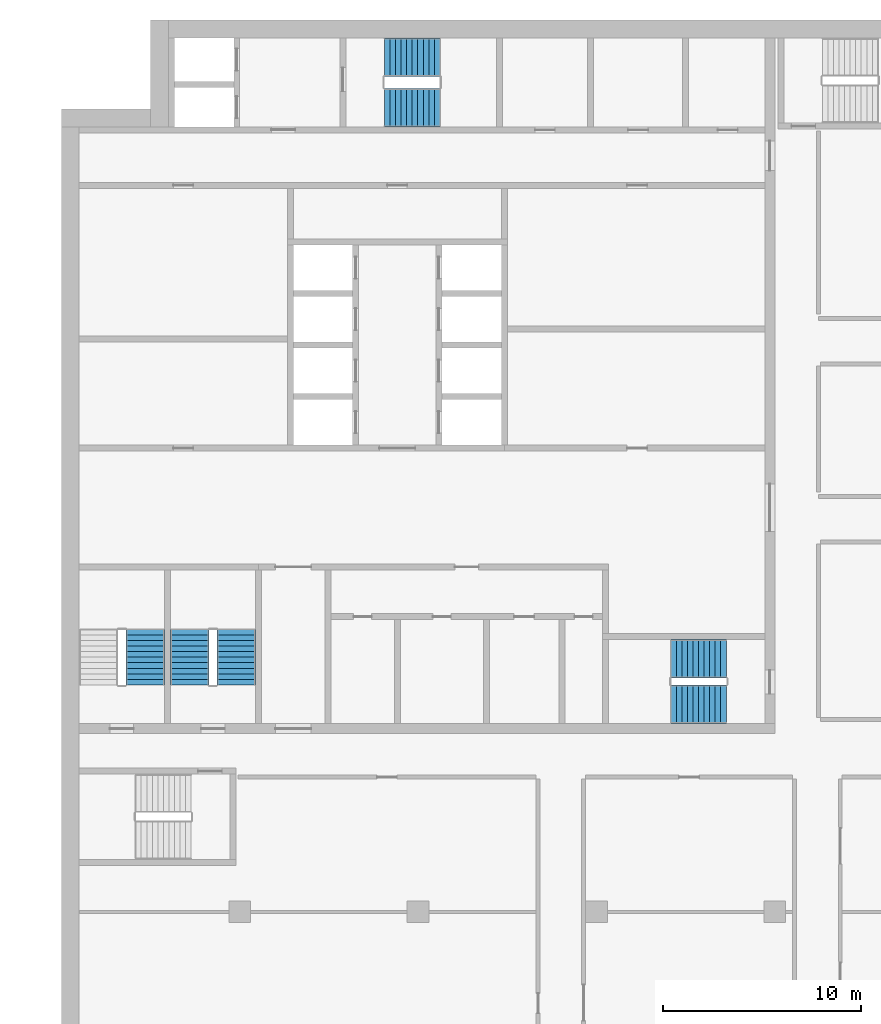
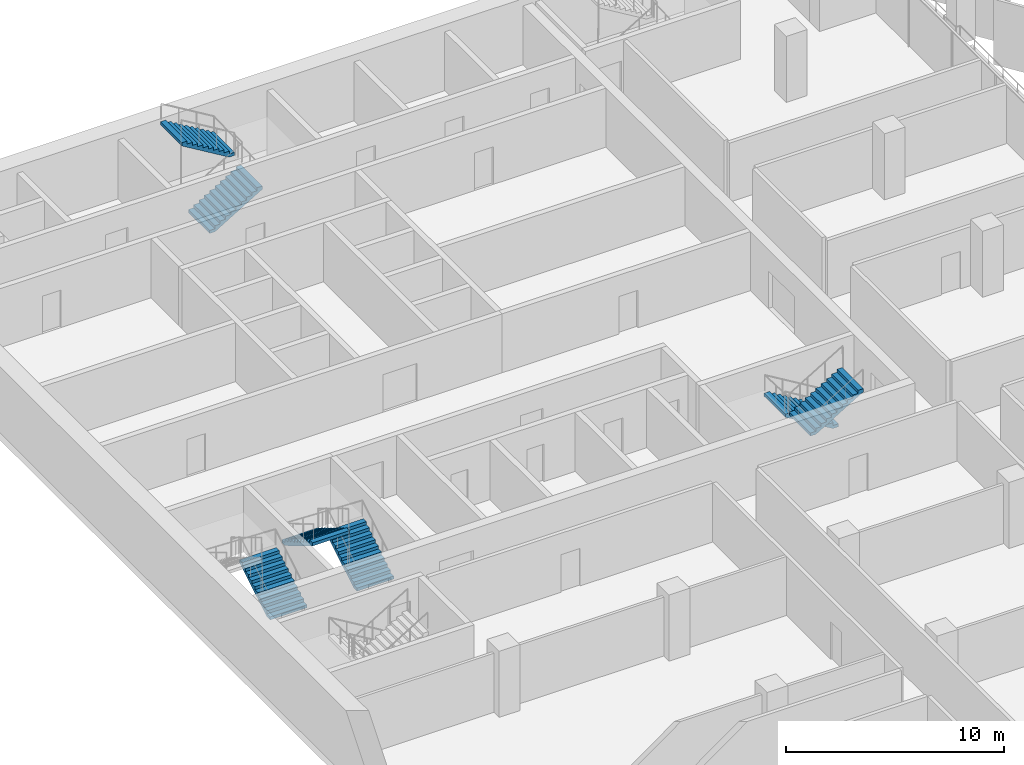
# One storey, part 12 of 17: 7 stair flights, 4 elements without a shape of their own.
"""IFC4 building model written with IfcOpenShell, lengths in metres."""

from ifc_helpers import new_model, si_unit, direction, frame, origin, place, context, subcontext, project, spatial, polyline, outline, extrude, material, type_object, element, aggregate, save


model = new_model("IFC4")

# Units and contexts
model_context = context("Model", 3, precision=1e-05, world=origin(), true_north=direction((0.0, 1.0)))
body_context = subcontext(model_context, "Body", "Model", "MODEL_VIEW")
ifc_project = project(units=[si_unit("LENGTHUNIT", "METRE"), si_unit("AREAUNIT", "SQUARE_METRE"), si_unit("VOLUMEUNIT", "CUBIC_METRE"), si_unit("PLANEANGLEUNIT", "RADIAN"), si_unit("MASSUNIT", "GRAM", prefix="KILO")], contexts=[model_context])

# Site, building, storey
site_placement = place(None, origin())
site = spatial("IfcSite", under=ifc_project, at=site_placement, CompositionType="ELEMENT")
building_placement = place(site_placement, origin())
building = spatial("IfcBuilding", under=site, at=building_placement, Name="Hunhe Ridgeline Campus", CompositionType="ELEMENT")
storey_placement = place(building_placement, frame((0.0, 0.0, 197.60009765625)))
storey = spatial("IfcBuildingStorey", under=building, at=storey_placement, Name="L50", CompositionType="ELEMENT", Elevation=197.60009765625)

# Stair, stair flights
ifc_material = material(Name="Concrete C40", Category="concrete")
stair_type = type_object("IfcStairType", Name="Reinforced concrete dog-leg stair 1950 Concrete C40", PredefinedType="HALF_TURN_STAIR", material=ifc_material)
stair_1_placement = place(storey_placement, origin())
stair_1 = element("IfcStair", 1, at=stair_1_placement, inside=storey, type_object=stair_type, Name="L50 S1", PredefinedType="HALF_TURN_STAIR")
stair_flight_type = type_object("IfcStairFlightType", Name="Reinforced concrete stair flight 1950 Concrete C40", PredefinedType="STRAIGHT", material=ifc_material)
stair_flight_1_placement = place(storey_placement, frame((16.300048828125, 94.574951171875, 0.0), z_axis=(0.0, 0.0, 1.0), x_axis=(1.0, 0.0, 0.0)))
stair_flight_1 = element("IfcStairFlight", 2, at=stair_flight_1_placement, type_object=stair_flight_type, Name="ST1 flight 1", NumberOfRisers=11, NumberOfTreads=10, PredefinedType="STRAIGHT", RiserHeight=0.168181818, TreadLength=0.28, context=body_context, shape_type="SweptSolid", body=[
    extrude(outline(polyline([(0.0, 0.0), (0.0, 0.168212890625), (0.280029296875, 0.168212890625), (0.280029296875, 0.33642578125), (0.56005859375, 0.33642578125), (0.56005859375, 0.504638671875), (0.840087890625, 0.504638671875), (0.840087890625, 0.672607421875), (1.1201171875, 0.672607421875), (1.1201171875, 0.8408203125), (1.39990234375, 0.8408203125), (1.39990234375, 1.009033203125), (1.679931640625, 1.009033203125), (1.679931640625, 1.17724609375), (1.9599609375, 1.17724609375), (1.9599609375, 1.345458984375), (2.239990234375, 1.345458984375), (2.239990234375, 1.513671875), (2.52001953125, 1.513671875), (2.52001953125, 1.681884765625), (2.800048828125, 1.681884765625), (2.800048828125, 1.85009765625), (2.800048828125, 1.5068359375), (0.291015625, 0.0), (0.0, 0.0)])), frame((0.0, 0.97509765625, 0.0), z_axis=(0.0, -1.0, 0.0), x_axis=(1.0, 0.0, 0.0)), (0.0, 0.0, 1.0), 1.949951171875),
    extrude(outline(polyline([(0.030029296875, 0.030029296875), (0.030029296875, 0.13818359375), (0.31005859375, 0.13818359375), (0.31005859375, 0.306396484375), (0.590087890625, 0.306396484375), (0.590087890625, 0.474609375), (0.8701171875, 0.474609375), (0.8701171875, 0.642578125), (1.14990234375, 0.642578125), (1.14990234375, 0.810791015625), (1.429931640625, 0.810791015625), (1.429931640625, 0.97900390625), (1.7099609375, 0.97900390625), (1.7099609375, 1.147216796875), (1.989990234375, 1.147216796875), (1.989990234375, 1.3154296875), (2.27001953125, 1.3154296875), (2.27001953125, 1.483642578125), (2.550048828125, 1.483642578125), (2.550048828125, 1.65185546875), (2.77001953125, 1.65185546875), (2.77001953125, 1.52392578125), (0.28271484375, 0.030029296875), (0.030029296875, 0.030029296875)])), frame((0.0, -0.070068359375, 0.0), z_axis=(0.0, -1.0, 0.0), x_axis=(1.0, 0.0, 0.0)), (0.0, 0.0, 1.0), 0.019775390625),
    extrude(outline(polyline([(0.030029296875, 0.030029296875), (0.030029296875, 0.13818359375), (0.31005859375, 0.13818359375), (0.31005859375, 0.306396484375), (0.590087890625, 0.306396484375), (0.590087890625, 0.474609375), (0.8701171875, 0.474609375), (0.8701171875, 0.642578125), (1.14990234375, 0.642578125), (1.14990234375, 0.810791015625), (1.429931640625, 0.810791015625), (1.429931640625, 0.97900390625), (1.7099609375, 0.97900390625), (1.7099609375, 1.147216796875), (1.989990234375, 1.147216796875), (1.989990234375, 1.3154296875), (2.27001953125, 1.3154296875), (2.27001953125, 1.483642578125), (2.550048828125, 1.483642578125), (2.550048828125, 1.65185546875), (2.77001953125, 1.65185546875), (2.77001953125, 1.52392578125), (0.28271484375, 0.030029296875), (0.030029296875, 0.030029296875)])), frame((0.0, 0.010009765625, 0.0), z_axis=(0.0, -1.0, 0.0), x_axis=(1.0, 0.0, 0.0)), (0.0, 0.0, 1.0), 0.019775390625),
    extrude(outline(polyline([(0.030029296875, 0.030029296875), (0.030029296875, 0.13818359375), (0.31005859375, 0.13818359375), (0.31005859375, 0.306396484375), (0.590087890625, 0.306396484375), (0.590087890625, 0.474609375), (0.8701171875, 0.474609375), (0.8701171875, 0.642578125), (1.14990234375, 0.642578125), (1.14990234375, 0.810791015625), (1.429931640625, 0.810791015625), (1.429931640625, 0.97900390625), (1.7099609375, 0.97900390625), (1.7099609375, 1.147216796875), (1.989990234375, 1.147216796875), (1.989990234375, 1.3154296875), (2.27001953125, 1.3154296875), (2.27001953125, 1.483642578125), (2.550048828125, 1.483642578125), (2.550048828125, 1.65185546875), (2.77001953125, 1.65185546875), (2.77001953125, 1.52392578125), (0.28271484375, 0.030029296875), (0.030029296875, 0.030029296875)])), frame((0.0, 0.090087890625, 0.0), z_axis=(0.0, -1.0, 0.0), x_axis=(1.0, 0.0, 0.0)), (0.0, 0.0, 1.0), 0.019775390625),
])
stair_flight_2_placement = place(storey_placement, frame((19.10009765625, 97.125, 1.849853515625), z_axis=(0.0, 0.0, 1.0), x_axis=(-1.0, 0.0, 0.0)))
stair_flight_2 = element("IfcStairFlight", 3, at=stair_flight_2_placement, type_object=stair_flight_type, Name="ST1 flight 2", NumberOfRisers=11, NumberOfTreads=10, PredefinedType="STRAIGHT", RiserHeight=0.168181818, TreadLength=0.28, context=body_context, shape_type="SweptSolid", body=[
    extrude(outline(polyline([(0.0, 0.0), (0.0, 0.168212890625), (0.280029296875, 0.168212890625), (0.280029296875, 0.33642578125), (0.56005859375, 0.33642578125), (0.56005859375, 0.504638671875), (0.840087890625, 0.504638671875), (0.840087890625, 0.672607421875), (1.1201171875, 0.672607421875), (1.1201171875, 0.8408203125), (1.39990234375, 0.8408203125), (1.39990234375, 1.009033203125), (1.679931640625, 1.009033203125), (1.679931640625, 1.17724609375), (1.9599609375, 1.17724609375), (1.9599609375, 1.345458984375), (2.239990234375, 1.345458984375), (2.239990234375, 1.513671875), (2.52001953125, 1.513671875), (2.52001953125, 1.681884765625), (2.800048828125, 1.681884765625), (2.800048828125, 1.85009765625), (2.800048828125, 1.5068359375), (0.291015625, 0.0), (0.0, 0.0)])), frame((0.0, 0.97509765625, 0.0), z_axis=(0.0, -1.0, 0.0), x_axis=(1.0, 0.0, 0.0)), (0.0, 0.0, 1.0), 1.949951171875),
    extrude(outline(polyline([(0.030029296875, 0.030029296875), (0.030029296875, 0.13818359375), (0.31005859375, 0.13818359375), (0.31005859375, 0.306396484375), (0.590087890625, 0.306396484375), (0.590087890625, 0.474609375), (0.8701171875, 0.474609375), (0.8701171875, 0.642578125), (1.14990234375, 0.642578125), (1.14990234375, 0.810791015625), (1.429931640625, 0.810791015625), (1.429931640625, 0.97900390625), (1.7099609375, 0.97900390625), (1.7099609375, 1.147216796875), (1.989990234375, 1.147216796875), (1.989990234375, 1.3154296875), (2.27001953125, 1.3154296875), (2.27001953125, 1.483642578125), (2.550048828125, 1.483642578125), (2.550048828125, 1.65185546875), (2.77001953125, 1.65185546875), (2.77001953125, 1.52392578125), (0.28271484375, 0.030029296875), (0.030029296875, 0.030029296875)])), frame((0.0, -0.070068359375, 0.0), z_axis=(0.0, -1.0, 0.0), x_axis=(1.0, 0.0, 0.0)), (0.0, 0.0, 1.0), 0.019775390625),
    extrude(outline(polyline([(0.030029296875, 0.030029296875), (0.030029296875, 0.13818359375), (0.31005859375, 0.13818359375), (0.31005859375, 0.306396484375), (0.590087890625, 0.306396484375), (0.590087890625, 0.474609375), (0.8701171875, 0.474609375), (0.8701171875, 0.642578125), (1.14990234375, 0.642578125), (1.14990234375, 0.810791015625), (1.429931640625, 0.810791015625), (1.429931640625, 0.97900390625), (1.7099609375, 0.97900390625), (1.7099609375, 1.147216796875), (1.989990234375, 1.147216796875), (1.989990234375, 1.3154296875), (2.27001953125, 1.3154296875), (2.27001953125, 1.483642578125), (2.550048828125, 1.483642578125), (2.550048828125, 1.65185546875), (2.77001953125, 1.65185546875), (2.77001953125, 1.52392578125), (0.28271484375, 0.030029296875), (0.030029296875, 0.030029296875)])), frame((0.0, 0.010009765625, 0.0), z_axis=(0.0, -1.0, 0.0), x_axis=(1.0, 0.0, 0.0)), (0.0, 0.0, 1.0), 0.019775390625),
    extrude(outline(polyline([(0.030029296875, 0.030029296875), (0.030029296875, 0.13818359375), (0.31005859375, 0.13818359375), (0.31005859375, 0.306396484375), (0.590087890625, 0.306396484375), (0.590087890625, 0.474609375), (0.8701171875, 0.474609375), (0.8701171875, 0.642578125), (1.14990234375, 0.642578125), (1.14990234375, 0.810791015625), (1.429931640625, 0.810791015625), (1.429931640625, 0.97900390625), (1.7099609375, 0.97900390625), (1.7099609375, 1.147216796875), (1.989990234375, 1.147216796875), (1.989990234375, 1.3154296875), (2.27001953125, 1.3154296875), (2.27001953125, 1.483642578125), (2.550048828125, 1.483642578125), (2.550048828125, 1.65185546875), (2.77001953125, 1.65185546875), (2.77001953125, 1.52392578125), (0.28271484375, 0.030029296875), (0.030029296875, 0.030029296875)])), frame((0.0, 0.090087890625, 0.0), z_axis=(0.0, -1.0, 0.0), x_axis=(1.0, 0.0, 0.0)), (0.0, 0.0, 1.0), 0.019775390625),
])
aggregate(stair_1, [stair_flight_1, stair_flight_2])

stair_2_placement = place(storey_placement, origin())
stair_2 = element("IfcStair", 4, at=stair_2_placement, inside=storey, type_object=stair_type, Name="L50 S2", PredefinedType="HALF_TURN_STAIR")
stair_flight_3_placement = place(storey_placement, frame((33.550048828125, 66.77490234375, 0.0), z_axis=(0.0, 0.0, 1.0), x_axis=(-1.0, 0.0, 0.0)))
stair_flight_3 = element("IfcStairFlight", 5, at=stair_flight_3_placement, type_object=stair_flight_type, Name="ST2 flight 1", NumberOfRisers=11, NumberOfTreads=10, PredefinedType="STRAIGHT", RiserHeight=0.168181818, TreadLength=0.28, context=body_context, shape_type="SweptSolid", body=[
    extrude(outline(polyline([(0.0, 0.0), (0.0, 0.168212890625), (0.280029296875, 0.168212890625), (0.280029296875, 0.33642578125), (0.56005859375, 0.33642578125), (0.56005859375, 0.504638671875), (0.840087890625, 0.504638671875), (0.840087890625, 0.672607421875), (1.1201171875, 0.672607421875), (1.1201171875, 0.8408203125), (1.39990234375, 0.8408203125), (1.39990234375, 1.009033203125), (1.679931640625, 1.009033203125), (1.679931640625, 1.17724609375), (1.9599609375, 1.17724609375), (1.9599609375, 1.345458984375), (2.239990234375, 1.345458984375), (2.239990234375, 1.513671875), (2.52001953125, 1.513671875), (2.52001953125, 1.681884765625), (2.800048828125, 1.681884765625), (2.800048828125, 1.85009765625), (2.800048828125, 1.5068359375), (0.291015625, 0.0), (0.0, 0.0)])), frame((0.0, 0.97509765625, 0.0), z_axis=(0.0, -1.0, 0.0), x_axis=(1.0, 0.0, 0.0)), (0.0, 0.0, 1.0), 1.949951171875),
    extrude(outline(polyline([(0.030029296875, 0.030029296875), (0.030029296875, 0.13818359375), (0.31005859375, 0.13818359375), (0.31005859375, 0.306396484375), (0.590087890625, 0.306396484375), (0.590087890625, 0.474609375), (0.8701171875, 0.474609375), (0.8701171875, 0.642578125), (1.14990234375, 0.642578125), (1.14990234375, 0.810791015625), (1.429931640625, 0.810791015625), (1.429931640625, 0.97900390625), (1.7099609375, 0.97900390625), (1.7099609375, 1.147216796875), (1.989990234375, 1.147216796875), (1.989990234375, 1.3154296875), (2.27001953125, 1.3154296875), (2.27001953125, 1.483642578125), (2.550048828125, 1.483642578125), (2.550048828125, 1.65185546875), (2.77001953125, 1.65185546875), (2.77001953125, 1.52392578125), (0.28271484375, 0.030029296875), (0.030029296875, 0.030029296875)])), frame((0.0, -0.070068359375, 0.0), z_axis=(0.0, -1.0, 0.0), x_axis=(1.0, 0.0, 0.0)), (0.0, 0.0, 1.0), 0.019775390625),
    extrude(outline(polyline([(0.030029296875, 0.030029296875), (0.030029296875, 0.13818359375), (0.31005859375, 0.13818359375), (0.31005859375, 0.306396484375), (0.590087890625, 0.306396484375), (0.590087890625, 0.474609375), (0.8701171875, 0.474609375), (0.8701171875, 0.642578125), (1.14990234375, 0.642578125), (1.14990234375, 0.810791015625), (1.429931640625, 0.810791015625), (1.429931640625, 0.97900390625), (1.7099609375, 0.97900390625), (1.7099609375, 1.147216796875), (1.989990234375, 1.147216796875), (1.989990234375, 1.3154296875), (2.27001953125, 1.3154296875), (2.27001953125, 1.483642578125), (2.550048828125, 1.483642578125), (2.550048828125, 1.65185546875), (2.77001953125, 1.65185546875), (2.77001953125, 1.52392578125), (0.28271484375, 0.030029296875), (0.030029296875, 0.030029296875)])), frame((0.0, 0.010009765625, 0.0), z_axis=(0.0, -1.0, 0.0), x_axis=(1.0, 0.0, 0.0)), (0.0, 0.0, 1.0), 0.019775390625),
    extrude(outline(polyline([(0.030029296875, 0.030029296875), (0.030029296875, 0.13818359375), (0.31005859375, 0.13818359375), (0.31005859375, 0.306396484375), (0.590087890625, 0.306396484375), (0.590087890625, 0.474609375), (0.8701171875, 0.474609375), (0.8701171875, 0.642578125), (1.14990234375, 0.642578125), (1.14990234375, 0.810791015625), (1.429931640625, 0.810791015625), (1.429931640625, 0.97900390625), (1.7099609375, 0.97900390625), (1.7099609375, 1.147216796875), (1.989990234375, 1.147216796875), (1.989990234375, 1.3154296875), (2.27001953125, 1.3154296875), (2.27001953125, 1.483642578125), (2.550048828125, 1.483642578125), (2.550048828125, 1.65185546875), (2.77001953125, 1.65185546875), (2.77001953125, 1.52392578125), (0.28271484375, 0.030029296875), (0.030029296875, 0.030029296875)])), frame((0.0, 0.090087890625, 0.0), z_axis=(0.0, -1.0, 0.0), x_axis=(1.0, 0.0, 0.0)), (0.0, 0.0, 1.0), 0.019775390625),
])
stair_flight_4_placement = place(storey_placement, frame((30.75, 64.47509765625, 1.849853515625), z_axis=(0.0, 0.0, 1.0), x_axis=(1.0, 0.0, 0.0)))
stair_flight_4 = element("IfcStairFlight", 6, at=stair_flight_4_placement, type_object=stair_flight_type, Name="ST2 flight 2", NumberOfRisers=11, NumberOfTreads=10, PredefinedType="STRAIGHT", RiserHeight=0.168181818, TreadLength=0.28, context=body_context, shape_type="SweptSolid", body=[
    extrude(outline(polyline([(0.0, 0.0), (0.0, 0.168212890625), (0.280029296875, 0.168212890625), (0.280029296875, 0.33642578125), (0.56005859375, 0.33642578125), (0.56005859375, 0.504638671875), (0.840087890625, 0.504638671875), (0.840087890625, 0.672607421875), (1.1201171875, 0.672607421875), (1.1201171875, 0.8408203125), (1.39990234375, 0.8408203125), (1.39990234375, 1.009033203125), (1.679931640625, 1.009033203125), (1.679931640625, 1.17724609375), (1.9599609375, 1.17724609375), (1.9599609375, 1.345458984375), (2.239990234375, 1.345458984375), (2.239990234375, 1.513671875), (2.52001953125, 1.513671875), (2.52001953125, 1.681884765625), (2.800048828125, 1.681884765625), (2.800048828125, 1.85009765625), (2.800048828125, 1.5068359375), (0.291015625, 0.0), (0.0, 0.0)])), frame((0.0, 0.97509765625, 0.0), z_axis=(0.0, -1.0, 0.0), x_axis=(1.0, 0.0, 0.0)), (0.0, 0.0, 1.0), 1.949951171875),
    extrude(outline(polyline([(0.030029296875, 0.030029296875), (0.030029296875, 0.13818359375), (0.31005859375, 0.13818359375), (0.31005859375, 0.306396484375), (0.590087890625, 0.306396484375), (0.590087890625, 0.474609375), (0.8701171875, 0.474609375), (0.8701171875, 0.642578125), (1.14990234375, 0.642578125), (1.14990234375, 0.810791015625), (1.429931640625, 0.810791015625), (1.429931640625, 0.97900390625), (1.7099609375, 0.97900390625), (1.7099609375, 1.147216796875), (1.989990234375, 1.147216796875), (1.989990234375, 1.3154296875), (2.27001953125, 1.3154296875), (2.27001953125, 1.483642578125), (2.550048828125, 1.483642578125), (2.550048828125, 1.65185546875), (2.77001953125, 1.65185546875), (2.77001953125, 1.52392578125), (0.28271484375, 0.030029296875), (0.030029296875, 0.030029296875)])), frame((0.0, -0.070068359375, 0.0), z_axis=(0.0, -1.0, 0.0), x_axis=(1.0, 0.0, 0.0)), (0.0, 0.0, 1.0), 0.019775390625),
    extrude(outline(polyline([(0.030029296875, 0.030029296875), (0.030029296875, 0.13818359375), (0.31005859375, 0.13818359375), (0.31005859375, 0.306396484375), (0.590087890625, 0.306396484375), (0.590087890625, 0.474609375), (0.8701171875, 0.474609375), (0.8701171875, 0.642578125), (1.14990234375, 0.642578125), (1.14990234375, 0.810791015625), (1.429931640625, 0.810791015625), (1.429931640625, 0.97900390625), (1.7099609375, 0.97900390625), (1.7099609375, 1.147216796875), (1.989990234375, 1.147216796875), (1.989990234375, 1.3154296875), (2.27001953125, 1.3154296875), (2.27001953125, 1.483642578125), (2.550048828125, 1.483642578125), (2.550048828125, 1.65185546875), (2.77001953125, 1.65185546875), (2.77001953125, 1.52392578125), (0.28271484375, 0.030029296875), (0.030029296875, 0.030029296875)])), frame((0.0, 0.010009765625, 0.0), z_axis=(0.0, -1.0, 0.0), x_axis=(1.0, 0.0, 0.0)), (0.0, 0.0, 1.0), 0.019775390625),
    extrude(outline(polyline([(0.030029296875, 0.030029296875), (0.030029296875, 0.13818359375), (0.31005859375, 0.13818359375), (0.31005859375, 0.306396484375), (0.590087890625, 0.306396484375), (0.590087890625, 0.474609375), (0.8701171875, 0.474609375), (0.8701171875, 0.642578125), (1.14990234375, 0.642578125), (1.14990234375, 0.810791015625), (1.429931640625, 0.810791015625), (1.429931640625, 0.97900390625), (1.7099609375, 0.97900390625), (1.7099609375, 1.147216796875), (1.989990234375, 1.147216796875), (1.989990234375, 1.3154296875), (2.27001953125, 1.3154296875), (2.27001953125, 1.483642578125), (2.550048828125, 1.483642578125), (2.550048828125, 1.65185546875), (2.77001953125, 1.65185546875), (2.77001953125, 1.52392578125), (0.28271484375, 0.030029296875), (0.030029296875, 0.030029296875)])), frame((0.0, 0.090087890625, 0.0), z_axis=(0.0, -1.0, 0.0), x_axis=(1.0, 0.0, 0.0)), (0.0, 0.0, 1.0), 0.019775390625),
])
aggregate(stair_2, [stair_flight_3, stair_flight_4])

# Stair, stair flight
stair_3_placement = place(storey_placement, origin())
stair_3 = element("IfcStair", 7, at=stair_3_placement, inside=storey, type_object=stair_type, Name="L50 S3", PredefinedType="HALF_TURN_STAIR")
stair_flight_5_placement = place(storey_placement, frame((4.22509765625, 65.449951171875, 0.0), z_axis=(0.0, 0.0, 1.0), x_axis=(0.0, 1.0, 0.0)))
stair_flight_5 = element("IfcStairFlight", 8, at=stair_flight_5_placement, type_object=stair_flight_type, Name="ST3 flight 1", NumberOfRisers=11, NumberOfTreads=10, PredefinedType="STRAIGHT", RiserHeight=0.168181818, TreadLength=0.28, context=body_context, shape_type="SweptSolid", body=[
    extrude(outline(polyline([(0.0, 0.0), (0.0, 0.168212890625), (0.280029296875, 0.168212890625), (0.280029296875, 0.33642578125), (0.56005859375, 0.33642578125), (0.56005859375, 0.504638671875), (0.840087890625, 0.504638671875), (0.840087890625, 0.672607421875), (1.1201171875, 0.672607421875), (1.1201171875, 0.8408203125), (1.39990234375, 0.8408203125), (1.39990234375, 1.009033203125), (1.679931640625, 1.009033203125), (1.679931640625, 1.17724609375), (1.9599609375, 1.17724609375), (1.9599609375, 1.345458984375), (2.239990234375, 1.345458984375), (2.239990234375, 1.513671875), (2.52001953125, 1.513671875), (2.52001953125, 1.681884765625), (2.800048828125, 1.681884765625), (2.800048828125, 1.85009765625), (2.800048828125, 1.5068359375), (0.291015625, 0.0), (0.0, 0.0)])), frame((0.0, 0.97509765625, 0.0), z_axis=(0.0, -1.0, 0.0), x_axis=(1.0, 0.0, 0.0)), (0.0, 0.0, 1.0), 1.949951171875),
    extrude(outline(polyline([(0.030029296875, 0.030029296875), (0.030029296875, 0.13818359375), (0.31005859375, 0.13818359375), (0.31005859375, 0.306396484375), (0.590087890625, 0.306396484375), (0.590087890625, 0.474609375), (0.8701171875, 0.474609375), (0.8701171875, 0.642578125), (1.14990234375, 0.642578125), (1.14990234375, 0.810791015625), (1.429931640625, 0.810791015625), (1.429931640625, 0.97900390625), (1.7099609375, 0.97900390625), (1.7099609375, 1.147216796875), (1.989990234375, 1.147216796875), (1.989990234375, 1.3154296875), (2.27001953125, 1.3154296875), (2.27001953125, 1.483642578125), (2.550048828125, 1.483642578125), (2.550048828125, 1.65185546875), (2.77001953125, 1.65185546875), (2.77001953125, 1.52392578125), (0.28271484375, 0.030029296875), (0.030029296875, 0.030029296875)])), frame((0.0, -0.070068359375, 0.0), z_axis=(0.0, -1.0, 0.0), x_axis=(1.0, 0.0, 0.0)), (0.0, 0.0, 1.0), 0.019775390625),
    extrude(outline(polyline([(0.030029296875, 0.030029296875), (0.030029296875, 0.13818359375), (0.31005859375, 0.13818359375), (0.31005859375, 0.306396484375), (0.590087890625, 0.306396484375), (0.590087890625, 0.474609375), (0.8701171875, 0.474609375), (0.8701171875, 0.642578125), (1.14990234375, 0.642578125), (1.14990234375, 0.810791015625), (1.429931640625, 0.810791015625), (1.429931640625, 0.97900390625), (1.7099609375, 0.97900390625), (1.7099609375, 1.147216796875), (1.989990234375, 1.147216796875), (1.989990234375, 1.3154296875), (2.27001953125, 1.3154296875), (2.27001953125, 1.483642578125), (2.550048828125, 1.483642578125), (2.550048828125, 1.65185546875), (2.77001953125, 1.65185546875), (2.77001953125, 1.52392578125), (0.28271484375, 0.030029296875), (0.030029296875, 0.030029296875)])), frame((0.0, 0.010009765625, 0.0), z_axis=(0.0, -1.0, 0.0), x_axis=(1.0, 0.0, 0.0)), (0.0, 0.0, 1.0), 0.019775390625),
    extrude(outline(polyline([(0.030029296875, 0.030029296875), (0.030029296875, 0.13818359375), (0.31005859375, 0.13818359375), (0.31005859375, 0.306396484375), (0.590087890625, 0.306396484375), (0.590087890625, 0.474609375), (0.8701171875, 0.474609375), (0.8701171875, 0.642578125), (1.14990234375, 0.642578125), (1.14990234375, 0.810791015625), (1.429931640625, 0.810791015625), (1.429931640625, 0.97900390625), (1.7099609375, 0.97900390625), (1.7099609375, 1.147216796875), (1.989990234375, 1.147216796875), (1.989990234375, 1.3154296875), (2.27001953125, 1.3154296875), (2.27001953125, 1.483642578125), (2.550048828125, 1.483642578125), (2.550048828125, 1.65185546875), (2.77001953125, 1.65185546875), (2.77001953125, 1.52392578125), (0.28271484375, 0.030029296875), (0.030029296875, 0.030029296875)])), frame((0.0, 0.090087890625, 0.0), z_axis=(0.0, -1.0, 0.0), x_axis=(1.0, 0.0, 0.0)), (0.0, 0.0, 1.0), 0.019775390625),
])
aggregate(stair_3, [stair_flight_5])

# Stair, stair flights
stair_4_placement = place(storey_placement, origin())
stair_4 = element("IfcStair", 9, at=stair_4_placement, inside=storey, type_object=stair_type, Name="L50 S4", PredefinedType="HALF_TURN_STAIR")
stair_flight_6_placement = place(storey_placement, frame((8.824951171875, 65.449951171875, 0.0), z_axis=(0.0, 0.0, 1.0), x_axis=(0.0, 1.0, 0.0)))
stair_flight_6 = element("IfcStairFlight", 10, at=stair_flight_6_placement, type_object=stair_flight_type, Name="ST4 flight 1", NumberOfRisers=11, NumberOfTreads=10, PredefinedType="STRAIGHT", RiserHeight=0.168181818, TreadLength=0.28, context=body_context, shape_type="SweptSolid", body=[
    extrude(outline(polyline([(0.0, 0.0), (0.0, 0.168212890625), (0.280029296875, 0.168212890625), (0.280029296875, 0.33642578125), (0.56005859375, 0.33642578125), (0.56005859375, 0.504638671875), (0.840087890625, 0.504638671875), (0.840087890625, 0.672607421875), (1.1201171875, 0.672607421875), (1.1201171875, 0.8408203125), (1.39990234375, 0.8408203125), (1.39990234375, 1.009033203125), (1.679931640625, 1.009033203125), (1.679931640625, 1.17724609375), (1.9599609375, 1.17724609375), (1.9599609375, 1.345458984375), (2.239990234375, 1.345458984375), (2.239990234375, 1.513671875), (2.52001953125, 1.513671875), (2.52001953125, 1.681884765625), (2.800048828125, 1.681884765625), (2.800048828125, 1.85009765625), (2.800048828125, 1.5068359375), (0.291015625, 0.0), (0.0, 0.0)])), frame((0.0, 0.97509765625, 0.0), z_axis=(0.0, -1.0, 0.0), x_axis=(1.0, 0.0, 0.0)), (0.0, 0.0, 1.0), 1.949951171875),
    extrude(outline(polyline([(0.030029296875, 0.030029296875), (0.030029296875, 0.13818359375), (0.31005859375, 0.13818359375), (0.31005859375, 0.306396484375), (0.590087890625, 0.306396484375), (0.590087890625, 0.474609375), (0.8701171875, 0.474609375), (0.8701171875, 0.642578125), (1.14990234375, 0.642578125), (1.14990234375, 0.810791015625), (1.429931640625, 0.810791015625), (1.429931640625, 0.97900390625), (1.7099609375, 0.97900390625), (1.7099609375, 1.147216796875), (1.989990234375, 1.147216796875), (1.989990234375, 1.3154296875), (2.27001953125, 1.3154296875), (2.27001953125, 1.483642578125), (2.550048828125, 1.483642578125), (2.550048828125, 1.65185546875), (2.77001953125, 1.65185546875), (2.77001953125, 1.52392578125), (0.28271484375, 0.030029296875), (0.030029296875, 0.030029296875)])), frame((0.0, -0.070068359375, 0.0), z_axis=(0.0, -1.0, 0.0), x_axis=(1.0, 0.0, 0.0)), (0.0, 0.0, 1.0), 0.019775390625),
    extrude(outline(polyline([(0.030029296875, 0.030029296875), (0.030029296875, 0.13818359375), (0.31005859375, 0.13818359375), (0.31005859375, 0.306396484375), (0.590087890625, 0.306396484375), (0.590087890625, 0.474609375), (0.8701171875, 0.474609375), (0.8701171875, 0.642578125), (1.14990234375, 0.642578125), (1.14990234375, 0.810791015625), (1.429931640625, 0.810791015625), (1.429931640625, 0.97900390625), (1.7099609375, 0.97900390625), (1.7099609375, 1.147216796875), (1.989990234375, 1.147216796875), (1.989990234375, 1.3154296875), (2.27001953125, 1.3154296875), (2.27001953125, 1.483642578125), (2.550048828125, 1.483642578125), (2.550048828125, 1.65185546875), (2.77001953125, 1.65185546875), (2.77001953125, 1.52392578125), (0.28271484375, 0.030029296875), (0.030029296875, 0.030029296875)])), frame((0.0, 0.010009765625, 0.0), z_axis=(0.0, -1.0, 0.0), x_axis=(1.0, 0.0, 0.0)), (0.0, 0.0, 1.0), 0.019775390625),
    extrude(outline(polyline([(0.030029296875, 0.030029296875), (0.030029296875, 0.13818359375), (0.31005859375, 0.13818359375), (0.31005859375, 0.306396484375), (0.590087890625, 0.306396484375), (0.590087890625, 0.474609375), (0.8701171875, 0.474609375), (0.8701171875, 0.642578125), (1.14990234375, 0.642578125), (1.14990234375, 0.810791015625), (1.429931640625, 0.810791015625), (1.429931640625, 0.97900390625), (1.7099609375, 0.97900390625), (1.7099609375, 1.147216796875), (1.989990234375, 1.147216796875), (1.989990234375, 1.3154296875), (2.27001953125, 1.3154296875), (2.27001953125, 1.483642578125), (2.550048828125, 1.483642578125), (2.550048828125, 1.65185546875), (2.77001953125, 1.65185546875), (2.77001953125, 1.52392578125), (0.28271484375, 0.030029296875), (0.030029296875, 0.030029296875)])), frame((0.0, 0.090087890625, 0.0), z_axis=(0.0, -1.0, 0.0), x_axis=(1.0, 0.0, 0.0)), (0.0, 0.0, 1.0), 0.019775390625),
])
stair_flight_7_placement = place(storey_placement, frame((6.47509765625, 68.25, 1.849853515625), z_axis=(0.0, 0.0, 1.0), x_axis=(0.0, -1.0, 0.0)))
stair_flight_7 = element("IfcStairFlight", 11, at=stair_flight_7_placement, type_object=stair_flight_type, Name="ST4 flight 2", NumberOfRisers=11, NumberOfTreads=10, PredefinedType="STRAIGHT", RiserHeight=0.168181818, TreadLength=0.28, context=body_context, shape_type="SweptSolid", body=[
    extrude(outline(polyline([(0.0, 0.0), (0.0, 0.168212890625), (0.280029296875, 0.168212890625), (0.280029296875, 0.33642578125), (0.56005859375, 0.33642578125), (0.56005859375, 0.504638671875), (0.840087890625, 0.504638671875), (0.840087890625, 0.672607421875), (1.1201171875, 0.672607421875), (1.1201171875, 0.8408203125), (1.39990234375, 0.8408203125), (1.39990234375, 1.009033203125), (1.679931640625, 1.009033203125), (1.679931640625, 1.17724609375), (1.9599609375, 1.17724609375), (1.9599609375, 1.345458984375), (2.239990234375, 1.345458984375), (2.239990234375, 1.513671875), (2.52001953125, 1.513671875), (2.52001953125, 1.681884765625), (2.800048828125, 1.681884765625), (2.800048828125, 1.85009765625), (2.800048828125, 1.5068359375), (0.291015625, 0.0), (0.0, 0.0)])), frame((0.0, 0.97509765625, 0.0), z_axis=(0.0, -1.0, 0.0), x_axis=(1.0, 0.0, 0.0)), (0.0, 0.0, 1.0), 1.949951171875),
    extrude(outline(polyline([(0.030029296875, 0.030029296875), (0.030029296875, 0.13818359375), (0.31005859375, 0.13818359375), (0.31005859375, 0.306396484375), (0.590087890625, 0.306396484375), (0.590087890625, 0.474609375), (0.8701171875, 0.474609375), (0.8701171875, 0.642578125), (1.14990234375, 0.642578125), (1.14990234375, 0.810791015625), (1.429931640625, 0.810791015625), (1.429931640625, 0.97900390625), (1.7099609375, 0.97900390625), (1.7099609375, 1.147216796875), (1.989990234375, 1.147216796875), (1.989990234375, 1.3154296875), (2.27001953125, 1.3154296875), (2.27001953125, 1.483642578125), (2.550048828125, 1.483642578125), (2.550048828125, 1.65185546875), (2.77001953125, 1.65185546875), (2.77001953125, 1.52392578125), (0.28271484375, 0.030029296875), (0.030029296875, 0.030029296875)])), frame((0.0, -0.070068359375, 0.0), z_axis=(0.0, -1.0, 0.0), x_axis=(1.0, 0.0, 0.0)), (0.0, 0.0, 1.0), 0.019775390625),
    extrude(outline(polyline([(0.030029296875, 0.030029296875), (0.030029296875, 0.13818359375), (0.31005859375, 0.13818359375), (0.31005859375, 0.306396484375), (0.590087890625, 0.306396484375), (0.590087890625, 0.474609375), (0.8701171875, 0.474609375), (0.8701171875, 0.642578125), (1.14990234375, 0.642578125), (1.14990234375, 0.810791015625), (1.429931640625, 0.810791015625), (1.429931640625, 0.97900390625), (1.7099609375, 0.97900390625), (1.7099609375, 1.147216796875), (1.989990234375, 1.147216796875), (1.989990234375, 1.3154296875), (2.27001953125, 1.3154296875), (2.27001953125, 1.483642578125), (2.550048828125, 1.483642578125), (2.550048828125, 1.65185546875), (2.77001953125, 1.65185546875), (2.77001953125, 1.52392578125), (0.28271484375, 0.030029296875), (0.030029296875, 0.030029296875)])), frame((0.0, 0.010009765625, 0.0), z_axis=(0.0, -1.0, 0.0), x_axis=(1.0, 0.0, 0.0)), (0.0, 0.0, 1.0), 0.019775390625),
    extrude(outline(polyline([(0.030029296875, 0.030029296875), (0.030029296875, 0.13818359375), (0.31005859375, 0.13818359375), (0.31005859375, 0.306396484375), (0.590087890625, 0.306396484375), (0.590087890625, 0.474609375), (0.8701171875, 0.474609375), (0.8701171875, 0.642578125), (1.14990234375, 0.642578125), (1.14990234375, 0.810791015625), (1.429931640625, 0.810791015625), (1.429931640625, 0.97900390625), (1.7099609375, 0.97900390625), (1.7099609375, 1.147216796875), (1.989990234375, 1.147216796875), (1.989990234375, 1.3154296875), (2.27001953125, 1.3154296875), (2.27001953125, 1.483642578125), (2.550048828125, 1.483642578125), (2.550048828125, 1.65185546875), (2.77001953125, 1.65185546875), (2.77001953125, 1.52392578125), (0.28271484375, 0.030029296875), (0.030029296875, 0.030029296875)])), frame((0.0, 0.090087890625, 0.0), z_axis=(0.0, -1.0, 0.0), x_axis=(1.0, 0.0, 0.0)), (0.0, 0.0, 1.0), 0.019775390625),
])
aggregate(stair_4, [stair_flight_6, stair_flight_7])

save(model, "model.ifc")
